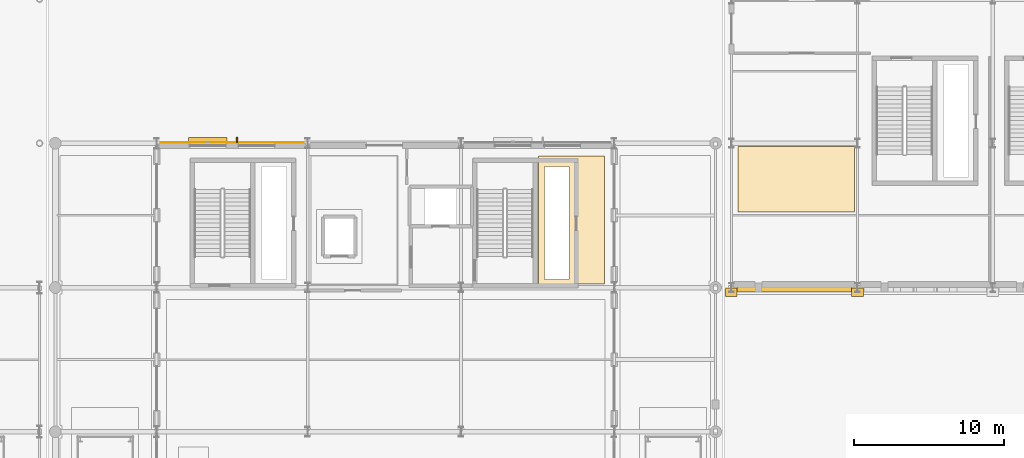
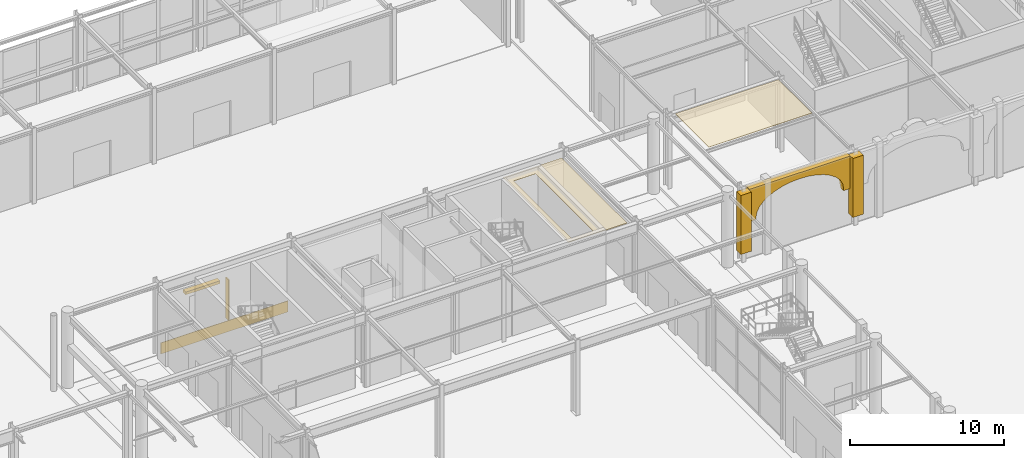
# One storey, part 94 of 113: 6 coverings, 2 shading devices.
"""IFC4 building model written with IfcOpenShell, lengths in metres."""

from ifc_helpers import new_model, si_unit, direction, frame, origin, origin_2d, place, context, subcontext, project, spatial, polyline, rectangle, outline, extrude, material, layer, layer_set, type_object, element, save


model = new_model("IFC4")

# Units and contexts
model_context = context("Model", 3, precision=1e-05, world=origin(), true_north=direction((0.0, 1.0)))
body_context = subcontext(model_context, "Body", "Model", "MODEL_VIEW")
ifc_project = project(units=[si_unit("LENGTHUNIT", "METRE"), si_unit("AREAUNIT", "SQUARE_METRE"), si_unit("VOLUMEUNIT", "CUBIC_METRE"), si_unit("PLANEANGLEUNIT", "RADIAN"), si_unit("MASSUNIT", "GRAM", prefix="KILO")], contexts=[model_context])

# Site, building, storey
site_placement = place(None, origin())
site = spatial("IfcSite", under=ifc_project, at=site_placement, CompositionType="ELEMENT")
building_placement = place(site_placement, origin())
building = spatial("IfcBuilding", under=site, at=building_placement, Name="Myrtia Square Station", CompositionType="ELEMENT")
storey_placement = place(building_placement, origin())
storey = spatial("IfcBuildingStorey", under=building, at=storey_placement, Name="L00", CompositionType="ELEMENT", Elevation=0.0)

# Coverings
ifc_material_1 = material(Name="Pentelic marble ashlar", Category="masonry")
ifc_layer_1 = layer(ifc_material_1, 0.4599609375, Name="Pentelic marble ashlar")
ifc_layer_set_1 = layer_set([ifc_layer_1], Name="Pentelic marble ashlar")
covering_type_1 = type_object("IfcCoveringType", Name="COV-ARCH-ASHLAR", PredefinedType="CLADDING", material=ifc_layer_set_1)
covering_1_placement = place(storey_placement, frame((118.02001953125, 86.35009765625, 3.050048828125), z_axis=(0.0, 0.0, 1.0), x_axis=(1.0, 0.0, 0.0)))
element("IfcCovering", 1, at=covering_1_placement, inside=storey, type_object=covering_type_1, Name="North square portales arcade arch 027", PredefinedType="CLADDING", context=body_context, shape_type="SweptSolid", body=[
    extrude(outline(polyline([(0.0, 0.0), (0.5, 0.0), (0.5, 0.199951171875), (0.56298828125, 0.570556640625), (0.749755859375, 0.927001953125), (1.052734375, 1.255615234375), (1.460693359375, 1.54345703125), (1.957763671875, 1.77978515625), (2.52490234375, 1.955322265625), (3.14013671875, 2.0634765625), (3.780029296875, 2.099853515625), (4.419921875, 2.0634765625), (5.03515625, 1.955322265625), (5.602294921875, 1.77978515625), (6.099365234375, 1.54345703125), (6.50732421875, 1.255615234375), (6.810302734375, 0.927001953125), (6.9970703125, 0.570556640625), (7.06005859375, 0.199951171875), (7.06005859375, 0.0), (7.56005859375, 0.0), (7.56005859375, 2.570068359375), (0.0, 2.570068359375), (0.0, 0.0)])), frame((0.0, 0.239990234375, 0.0), z_axis=(0.0, -1.0, 0.0), x_axis=(1.0, 0.0, 0.0)), (0.0, 0.0, 1.0), 0.47998046875),
])
for number, where, z_axis, x_axis, name in (
    (2, (117.60009765625, 86.080078125, 0.919921875), (0.0, 0.0, 1.0), (1.0, 0.0, 0.0), "Classical Pentelic ashlar pilaster 053"),
    (3, (126.0, 86.080078125, 0.919921875), (0.0, 0.0, 1.0), (1.0, 0.0, 0.0), "Classical Pentelic ashlar pilaster 059"),
):
    element("IfcCovering", number, at=place(storey_placement, frame(where, z_axis=z_axis, x_axis=x_axis)), inside=storey, type_object=covering_type_1, Name=name, PredefinedType="CLADDING", context=body_context, shape_type="SweptSolid", body=[
        extrude(rectangle(XDim=0.780029296875, YDim=0.56005859375, at=origin_2d()), origin(), (0.0, 0.0, 1.0), 4.679931640625),
    ])
ifc_material_2 = material(Name="Gypsum plasterboard")
ifc_layer_2 = layer(ifc_material_2, 0.034912109375, Name="Gypsum plasterboard")
ifc_layer_set_2 = layer_set([ifc_layer_2], Name="Gypsum plasterboard")
covering_type_2 = type_object("IfcCoveringType", Name="COV-CEIL-ACOUSTIC", PredefinedType="CEILING", material=ifc_layer_set_2)
covering_2_placement = place(storey_placement, frame((0.0, 0.0, 5.715087890625)))
element("IfcCovering", 4, at=covering_2_placement, inside=storey, type_object=covering_type_2, Name="Acoustic coffer ceiling L00-18", PredefinedType="CEILING", context=body_context, shape_type="SweptSolid", body=[
    extrude(outline(polyline([(118.050048828125, 95.780029296875), (125.780029296875, 95.780029296875), (125.780029296875, 91.419921875), (118.050048828125, 91.419921875), (118.050048828125, 95.780029296875)])), origin(), (0.0, 0.0, 1.0), 0.034912109375),
])
covering_3_placement = place(storey_placement, frame((0.0, 0.0, 5.705078125)))
element("IfcCovering", 5, at=covering_3_placement, inside=storey, type_object=covering_type_2, Name="Acoustic coffer ceiling L00-24", PredefinedType="CEILING", context=body_context, shape_type="SweptSolid", body=[
    extrude(outline(polyline([(109.14990234375, 86.64990234375), (104.760009765625, 86.64990234375), (104.760009765625, 95.14990234375), (109.14990234375, 95.14990234375), (109.14990234375, 86.64990234375)]), holes=[polyline([(106.800048828125, 86.949951171875), (106.800048828125, 94.449951171875), (105.14990234375, 94.449951171875), (105.14990234375, 86.949951171875), (106.800048828125, 86.949951171875)])]), origin(), (0.0, 0.0, 1.0), 0.034912109375),
])
ifc_material_3 = material(Name="Polychrome glazed ceramic tile", Category="masonry")
ifc_layer_3 = layer(ifc_material_3, 0.034912109375, Name="Polychrome glazed ceramic tile")
ifc_layer_set_3 = layer_set([ifc_layer_3], Name="Polychrome glazed ceramic tile")
covering_type_3 = type_object("IfcCoveringType", Name="COV-CLAD-FAIENCE", PredefinedType="CLADDING", material=ifc_layer_set_3)
covering_4_placement = place(storey_placement, frame((84.375, 96.047607421875, 0.0), z_axis=(0.0, 0.0, 1.0), x_axis=(1.0, 0.0, 0.0)))
element("IfcCovering", 6, at=covering_4_placement, inside=storey, type_object=covering_type_3, Name="Spanish Colonial Revival dado cladding 002", PredefinedType="CLADDING", context=body_context, shape_type="SweptSolid", body=[
    extrude(rectangle(XDim=9.5400390625, YDim=0.034912109375, at=origin_2d()), origin(), (0.0, 0.0, 1.0), 0.8798828125),
])

# Shading devices
ifc_material_4 = material(Name="Dark bronze anodised aluminium", Category="aluminium")
shading_device_type_1 = type_object("IfcShadingDeviceType", Name="SHD-FIN-BRONZE", PredefinedType="USERDEFINED", material=ifc_material_4)
shading_device_1_placement = place(storey_placement, frame((84.697998046875, 96.219970703125, 0.89990234375), z_axis=(0.0, 0.0, 1.0), x_axis=(1.0, 0.0, 0.0)))
element("IfcShadingDevice", 7, at=shading_device_1_placement, inside=storey, type_object=shading_device_type_1, Name="Vertical bronze solar fin SHF-002", ObjectType="FIN", PredefinedType="USERDEFINED", context=body_context, shape_type="SweptSolid", body=[
    extrude(rectangle(XDim=0.080078125, YDim=0.389892578125, at=origin_2d()), origin(), (0.0, 0.0, 1.0), 3.199951171875),
])
shading_device_type_2 = type_object("IfcShadingDeviceType", Name="SHD-JALOUSIE-BRONZE", PredefinedType="JALOUSIE", material=ifc_material_4)
shading_device_2_placement = place(storey_placement, frame((82.751953125, 96.199951171875, 4.0400390625), z_axis=(0.0, 0.0, 1.0), x_axis=(1.0, 0.0, 0.0)))
element("IfcShadingDevice", 8, at=shading_device_2_placement, inside=storey, type_object=shading_device_type_2, Name="Mediterranean bronze solar louvre SHL-002", PredefinedType="JALOUSIE", context=body_context, shape_type="SweptSolid", body=[
    extrude(rectangle(XDim=2.56005859375, YDim=0.35009765625, at=origin_2d()), origin(), (0.0, 0.0, 1.0), 0.219970703125),
])

save(model, "model.ifc")
